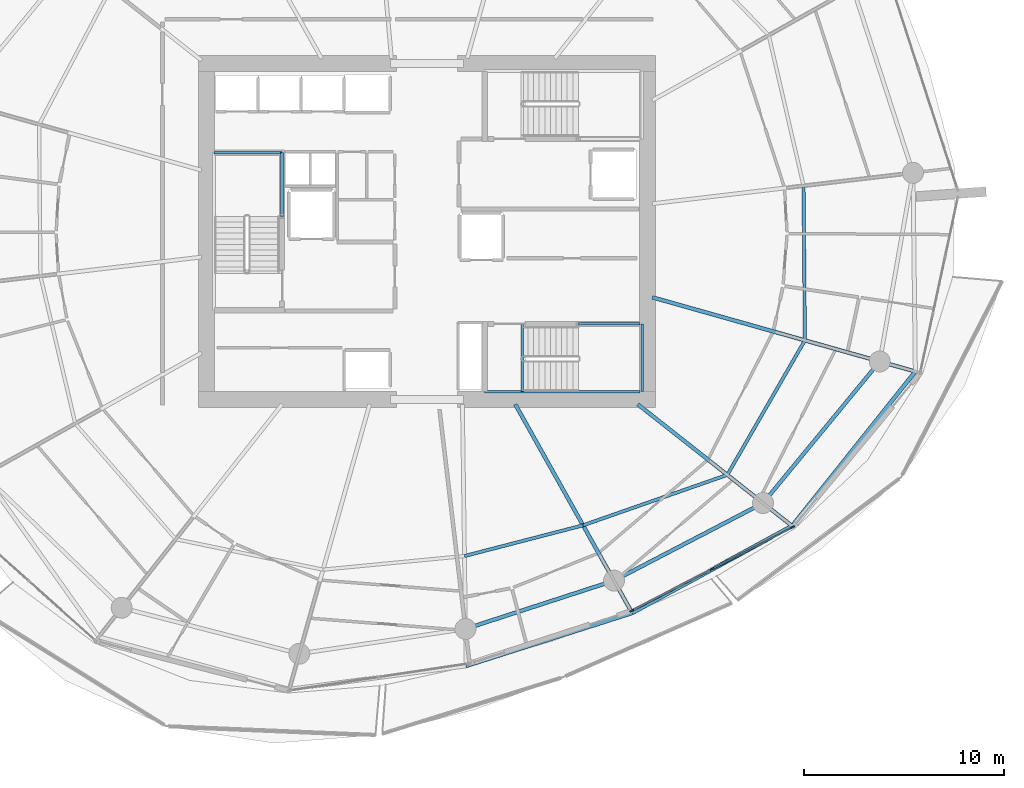
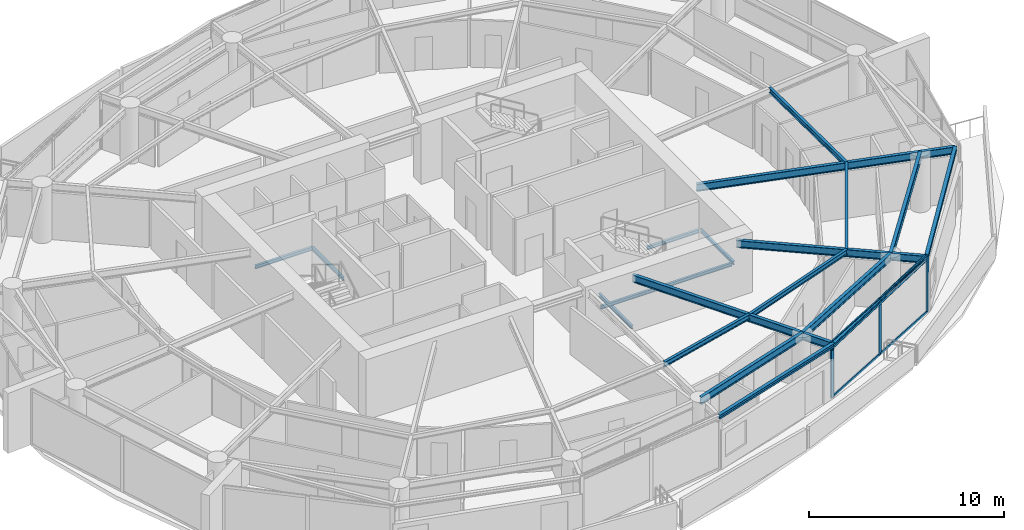
# One storey, part 6 of 20: 19 beams, 7 members, 1 element without a shape of its own.
"""IFC4 building model written with IfcOpenShell, lengths in metres."""

from ifc_helpers import new_model, si_unit, direction, frame, origin, origin_2d, place, context, subcontext, project, spatial, rectangle, i_section, extrude, material, layer, layer_set, material_profile, profile_set, type_object, element, aggregate, save


model = new_model("IFC4")

# Units and contexts
model_context = context("Model", 3, precision=1e-05, world=origin(), true_north=direction((0.0, 1.0)))
body_context = subcontext(model_context, "Body", "Model", "MODEL_VIEW")
ifc_project = project(units=[si_unit("LENGTHUNIT", "METRE"), si_unit("AREAUNIT", "SQUARE_METRE"), si_unit("VOLUMEUNIT", "CUBIC_METRE"), si_unit("PLANEANGLEUNIT", "RADIAN"), si_unit("MASSUNIT", "GRAM", prefix="KILO")], contexts=[model_context])

# Site, building, storey
site_placement = place(None, origin())
site = spatial("IfcSite", under=ifc_project, at=site_placement, CompositionType="ELEMENT")
building_placement = place(site_placement, origin())
building = spatial("IfcBuilding", under=site, at=building_placement, Name="Kazma Halo Residences", CompositionType="ELEMENT")
storey_placement = place(building_placement, frame((0.0, 0.0, 146.550048828125)))
storey = spatial("IfcBuildingStorey", under=building, at=storey_placement, Name="L36", CompositionType="ELEMENT", Elevation=146.550048828125)

# Beams
ifc_material_1 = material(Name="Steel S355", Category="steel")
ifc_material_profile_1 = material_profile(ifc_material_1, i_section(OverallWidth=0.201904296875, OverallDepth=0.2470703125, WebThickness=0.00732421875, FlangeThickness=0.010986328125, FilletRadius=0.011962890625, at=origin_2d()), Name="W250x49.1")
ifc_profile_set_1 = profile_set([ifc_material_profile_1], Name="Steel S355")
beam_type_1 = type_object("IfcBeamType", Name="BM-BAL-CANT", PredefinedType="BEAM", material=ifc_profile_set_1)
beam_1_placement = place(storey_placement, frame((50.37841796875, 20.269287109375, 3.37646484375), z_axis=(0.952724066304, 0.303836886315, 0.0), x_axis=(-0.303836886315, 0.952724066304, 0.0)))
element("IfcBeam", 1, at=beam_1_placement, inside=storey, type_object=beam_type_1, Name="L36 wave-balcony tie beam 12", PredefinedType="BEAM", context=body_context, shape_type="SweptSolid", body=[
    extrude(i_section(OverallWidth=0.201904296875, OverallDepth=0.2470703125, WebThickness=0.00732421875, FlangeThickness=0.010986328125, FilletRadius=0.011962890625, at=origin_2d()), origin(), (0.0, 0.0, 1.0), 8.719970703125),
])
beam_2_placement = place(storey_placement, frame((58.68603515625, 22.918701171875, 3.37646484375), z_axis=(0.878572913315, 0.477608245312, 0.0), x_axis=(-0.477608245312, 0.878572913315, 0.0)))
element("IfcBeam", 2, at=beam_2_placement, inside=storey, type_object=beam_type_1, Name="L36 wave-balcony tie beam 13", PredefinedType="BEAM", context=body_context, shape_type="SweptSolid", body=[
    extrude(i_section(OverallWidth=0.201904296875, OverallDepth=0.2470703125, WebThickness=0.00732421875, FlangeThickness=0.010986328125, FilletRadius=0.011962890625, at=origin_2d()), origin(), (0.0, 0.0, 1.0), 9.107177734375),
])
beam_3_placement = place(storey_placement, frame((66.687255859375, 27.268310546875, 3.37646484375), z_axis=(0.623742400336, 0.781629975131, 0.0), x_axis=(-0.781629975131, 0.623742400336, 0.0)))
element("IfcBeam", 3, at=beam_3_placement, inside=storey, type_object=beam_type_1, Name="L36 wave-balcony tie beam 14", PredefinedType="BEAM", context=body_context, shape_type="SweptSolid", body=[
    extrude(i_section(OverallWidth=0.201904296875, OverallDepth=0.2470703125, WebThickness=0.00732421875, FlangeThickness=0.010986328125, FilletRadius=0.011962890625, at=origin_2d()), origin(), (0.0, 0.0, 1.0), 9.880859375),
])
ifc_material_profile_2 = material_profile(ifc_material_1, i_section(OverallWidth=0.18994140625, OverallDepth=0.45703125, WebThickness=0.009033203125, FlangeThickness=0.014404296875, FilletRadius=0.01611328125, at=origin_2d()), Name="W460x74")
ifc_profile_set_2 = profile_set([ifc_material_profile_2], Name="Steel S355")
beam_type_2 = type_object("IfcBeamType", Name="BM-RAD-W460", PredefinedType="BEAM", material=ifc_profile_set_2)
beam_4_placement = place(storey_placement, frame((52.84423828125, 33.35009765625, 3.271484375), z_axis=(0.488617048735, -0.872498355119, 0.0), x_axis=(0.872498355119, 0.488617048735, 0.0)))
element("IfcBeam", 4, at=beam_4_placement, inside=storey, type_object=beam_type_2, Name="L36 radial floor beam 13", PredefinedType="BEAM", context=body_context, shape_type="SweptSolid", body=[
    extrude(i_section(OverallWidth=0.18994140625, OverallDepth=0.45703125, WebThickness=0.009033203125, FlangeThickness=0.014404296875, FilletRadius=0.01611328125, at=origin_2d()), origin(), (0.0, 0.0, 1.0), 11.955810546875),
])
beam_5_placement = place(storey_placement, frame((58.972412109375, 33.35009765625, 3.271484375), z_axis=(0.785322142498, -0.619087338347, 0.0), x_axis=(0.619087338347, 0.785322142498, 0.0)))
element("IfcBeam", 5, at=beam_5_placement, inside=storey, type_object=beam_type_2, Name="L36 radial floor beam 14", PredefinedType="BEAM", context=body_context, shape_type="SweptSolid", body=[
    extrude(i_section(OverallWidth=0.18994140625, OverallDepth=0.45703125, WebThickness=0.009033203125, FlangeThickness=0.014404296875, FilletRadius=0.01611328125, at=origin_2d()), origin(), (0.0, 0.0, 1.0), 9.82373046875),
])
beam_6_placement = place(storey_placement, frame((59.699951171875, 38.7001953125, 3.271484375), z_axis=(0.962456259321, -0.271436823024, 0.0), x_axis=(0.271436823024, 0.962456259321, 0.0)))
element("IfcBeam", 6, at=beam_6_placement, inside=storey, type_object=beam_type_2, Name="L36 radial floor beam 15", PredefinedType="BEAM", context=body_context, shape_type="SweptSolid", body=[
    extrude(i_section(OverallWidth=0.18994140625, OverallDepth=0.45703125, WebThickness=0.009033203125, FlangeThickness=0.014404296875, FilletRadius=0.01611328125, at=origin_2d()), origin(), (0.0, 0.0, 1.0), 13.663330078125),
])
ifc_material_profile_3 = material_profile(ifc_material_1, i_section(OverallWidth=0.1650390625, OverallDepth=0.31005859375, WebThickness=0.005859375, FlangeThickness=0.009765625, FilletRadius=0.011962890625, at=origin_2d()), Name="W310x38.7")
ifc_profile_set_3 = profile_set([ifc_material_profile_3], Name="Steel S355")
beam_type_3 = type_object("IfcBeamType", Name="BM-SEC-W310B", PredefinedType="JOIST", material=ifc_profile_set_3)
beam_7_placement = place(storey_placement, frame((50.303466796875, 25.76318359375, 3.344970703125), z_axis=(0.968017337658, 0.250883307524, 0.0), x_axis=(-0.250883307524, 0.968017337658, 0.0)))
element("IfcBeam", 7, at=beam_7_placement, inside=storey, type_object=beam_type_3, Name="L36 circumferential floor joist 12", PredefinedType="JOIST", context=body_context, shape_type="SweptSolid", body=[
    extrude(i_section(OverallWidth=0.1650390625, OverallDepth=0.31005859375, WebThickness=0.005859375, FlangeThickness=0.009765625, FilletRadius=0.011962890625, at=origin_2d()), origin(), (0.0, 0.0, 1.0), 6.124755859375),
])
beam_8_placement = place(storey_placement, frame((56.232421875, 27.2998046875, 3.344970703125), z_axis=(0.943956421223, 0.330070105935, 0.0), x_axis=(-0.330070105935, 0.943956421223, 0.0)))
element("IfcBeam", 8, at=beam_8_placement, inside=storey, type_object=beam_type_3, Name="L36 circumferential floor joist 13", PredefinedType="JOIST", context=body_context, shape_type="SweptSolid", body=[
    extrude(i_section(OverallWidth=0.1650390625, OverallDepth=0.31005859375, WebThickness=0.005859375, FlangeThickness=0.009765625, FilletRadius=0.011962890625, at=origin_2d()), origin(), (0.0, 0.0, 1.0), 7.642822265625),
])
beam_9_placement = place(storey_placement, frame((63.447021484375, 29.822509765625, 3.344970703125), z_axis=(0.499666203496, 0.866218035533, 0.0), x_axis=(-0.866218035533, 0.499666203496, 0.0)))
element("IfcBeam", 9, at=beam_9_placement, inside=storey, type_object=beam_type_3, Name="L36 circumferential floor joist 14", PredefinedType="JOIST", context=body_context, shape_type="SweptSolid", body=[
    extrude(i_section(OverallWidth=0.1650390625, OverallDepth=0.31005859375, WebThickness=0.005859375, FlangeThickness=0.009765625, FilletRadius=0.011962890625, at=origin_2d()), origin(), (0.0, 0.0, 1.0), 7.765380859375),
])
beam_10_placement = place(storey_placement, frame((67.3271484375, 36.549072265625, 3.344970703125), z_axis=(-0.008779348348, 0.999961460779, 0.0), x_axis=(-0.999961460779, -0.008779348348, 0.0)))
element("IfcBeam", 10, at=beam_10_placement, inside=storey, type_object=beam_type_3, Name="L36 circumferential floor joist 15", PredefinedType="JOIST", context=body_context, shape_type="SweptSolid", body=[
    extrude(i_section(OverallWidth=0.1650390625, OverallDepth=0.31005859375, WebThickness=0.005859375, FlangeThickness=0.009765625, FilletRadius=0.011962890625, at=origin_2d()), origin(), (0.0, 0.0, 1.0), 7.730712890625),
])
ifc_material_profile_4 = material_profile(ifc_material_1, i_section(OverallWidth=0.18994140625, OverallDepth=0.45703125, WebThickness=0.009033203125, FlangeThickness=0.014404296875, FilletRadius=0.01611328125, at=origin_2d()), Name="W460x74")
ifc_profile_set_4 = profile_set([ifc_material_profile_4], Name="Steel S355")
beam_type_4 = type_object("IfcBeamType", Name="BM-SPN-W460", PredefinedType="BEAM", material=ifc_profile_set_4)
beam_11_placement = place(storey_placement, frame((50.35302734375, 22.118896484375, 3.271484375), z_axis=(0.95105634578, 0.309017519167, 0.0), x_axis=(-0.309017519167, 0.95105634578, 0.0)))
element("IfcBeam", 11, at=beam_11_placement, inside=storey, type_object=beam_type_4, Name="L36 perimeter ring beam 12", PredefinedType="BEAM", context=body_context, shape_type="SweptSolid", body=[
    extrude(i_section(OverallWidth=0.18994140625, OverallDepth=0.45703125, WebThickness=0.009033203125, FlangeThickness=0.014404296875, FilletRadius=0.01611328125, at=origin_2d()), origin(), (0.0, 0.0, 1.0), 7.811279296875),
])
beam_12_placement = place(storey_placement, frame((57.781982421875, 24.53271484375, 3.271484375), z_axis=(0.886943099021, 0.461878706046, 0.0), x_axis=(-0.461878706046, 0.886943099021, 0.0)))
element("IfcBeam", 12, at=beam_12_placement, inside=storey, type_object=beam_type_4, Name="L36 perimeter ring beam 13", PredefinedType="BEAM", context=body_context, shape_type="SweptSolid", body=[
    extrude(i_section(OverallWidth=0.18994140625, OverallDepth=0.45703125, WebThickness=0.009033203125, FlangeThickness=0.014404296875, FilletRadius=0.01611328125, at=origin_2d()), origin(), (0.0, 0.0, 1.0), 8.40234375),
])
beam_13_placement = place(storey_placement, frame((65.234375, 28.41357421875, 3.271484375), z_axis=(0.636018723515, 0.771673624882, 0.0), x_axis=(-0.771673624882, 0.636018723515, 0.0)))
element("IfcBeam", 13, at=beam_13_placement, inside=storey, type_object=beam_type_4, Name="L36 perimeter ring beam 14", PredefinedType="BEAM", context=body_context, shape_type="SweptSolid", body=[
    extrude(i_section(OverallWidth=0.18994140625, OverallDepth=0.45703125, WebThickness=0.009033203125, FlangeThickness=0.014404296875, FilletRadius=0.01611328125, at=origin_2d()), origin(), (0.0, 0.0, 1.0), 9.175048828125),
])
ifc_material_profile_5 = material_profile(ifc_material_1, i_section(OverallWidth=0.133056640625, OverallDepth=0.20703125, WebThickness=0.005859375, FlangeThickness=0.00830078125, FilletRadius=0.010009765625, at=origin_2d()), Name="W200x26.6")
ifc_profile_set_5 = profile_set([ifc_material_profile_5], Name="Steel S355")
beam_type_5 = type_object("IfcBeamType", Name="BM-TRIM-W200", PredefinedType="BEAM", material=ifc_profile_set_5)
beam_14_placement = place(storey_placement, frame((53.199951171875, 34.0, -0.360107421875), z_axis=(0.0, 1.0, 0.0), x_axis=(-1.0, 0.0, 0.0)))
element("IfcBeam", 14, at=beam_14_placement, inside=storey, type_object=beam_type_5, Name="L36 ST-03 floor landing support beam", PredefinedType="BEAM", context=body_context, shape_type="SweptSolid", body=[
    extrude(i_section(OverallWidth=0.133056640625, OverallDepth=0.20703125, WebThickness=0.005859375, FlangeThickness=0.00830078125, FilletRadius=0.010009765625, at=origin_2d()), origin(), (0.0, 0.0, 1.0), 3.3798828125),
])
beam_15_placement = place(storey_placement, frame((41.179931640625, 42.75, 1.570068359375), z_axis=(0.0, 1.0, 0.0), x_axis=(-1.0, 0.0, 0.0)))
element("IfcBeam", 15, at=beam_15_placement, inside=storey, type_object=beam_type_5, Name="L36 ST-01 landing east wall ledger", PredefinedType="BEAM", context=body_context, shape_type="SweptSolid", body=[
    extrude(i_section(OverallWidth=0.133056640625, OverallDepth=0.20703125, WebThickness=0.005859375, FlangeThickness=0.00830078125, FilletRadius=0.010009765625, at=origin_2d()), origin(), (0.0, 0.0, 1.0), 3.18994140625),
])
beam_16_placement = place(storey_placement, frame((37.780029296875, 45.93994140625, 1.570068359375), z_axis=(1.0, 0.0, 0.0), x_axis=(0.0, 1.0, 0.0)))
element("IfcBeam", 16, at=beam_16_placement, inside=storey, type_object=beam_type_5, Name="L36 ST-01 landing end wall ledger", PredefinedType="BEAM", context=body_context, shape_type="SweptSolid", body=[
    extrude(i_section(OverallWidth=0.133056640625, OverallDepth=0.20703125, WebThickness=0.005859375, FlangeThickness=0.00830078125, FilletRadius=0.010009765625, at=origin_2d()), origin(), (0.0, 0.0, 1.0), 3.39990234375),
])
beam_17_placement = place(storey_placement, frame((51.31005859375, 33.97998046875, 1.570068359375), z_axis=(1.0, 0.0, 0.0), x_axis=(0.0, 1.0, 0.0)))
element("IfcBeam", 17, at=beam_17_placement, inside=storey, type_object=beam_type_5, Name="L36 ST-03 landing south wall ledger", PredefinedType="BEAM", context=body_context, shape_type="SweptSolid", body=[
    extrude(i_section(OverallWidth=0.133056640625, OverallDepth=0.20703125, WebThickness=0.005859375, FlangeThickness=0.00830078125, FilletRadius=0.010009765625, at=origin_2d()), origin(), (0.0, 0.0, 1.0), 7.760009765625),
])
beam_18_placement = place(storey_placement, frame((56.0, 37.3798828125, 1.570068359375), z_axis=(1.0, 0.0, 0.0), x_axis=(0.0, 1.0, 0.0)))
element("IfcBeam", 18, at=beam_18_placement, inside=storey, type_object=beam_type_5, Name="L36 ST-03 landing north wall ledger", PredefinedType="BEAM", context=body_context, shape_type="SweptSolid", body=[
    extrude(i_section(OverallWidth=0.133056640625, OverallDepth=0.20703125, WebThickness=0.005859375, FlangeThickness=0.00830078125, FilletRadius=0.010009765625, at=origin_2d()), origin(), (0.0, 0.0, 1.0), 3.070068359375),
])
beam_19_placement = place(storey_placement, frame((59.18994140625, 33.97998046875, 1.570068359375), z_axis=(0.0, 1.0, 0.0), x_axis=(-1.0, 0.0, 0.0)))
element("IfcBeam", 19, at=beam_19_placement, inside=storey, type_object=beam_type_5, Name="L36 ST-03 landing end wall ledger", PredefinedType="BEAM", context=body_context, shape_type="SweptSolid", body=[
    extrude(i_section(OverallWidth=0.133056640625, OverallDepth=0.20703125, WebThickness=0.005859375, FlangeThickness=0.00830078125, FilletRadius=0.010009765625, at=origin_2d()), origin(), (0.0, 0.0, 1.0), 3.39990234375),
])

# Curtain wall, members
ifc_material_2 = material(Name="Aluminium AW-6063 T6 and Triple-Silver Low-E Glass", Category="aluminium")
ifc_layer = layer(ifc_material_2, 0.219970703125)
ifc_layer_set = layer_set([ifc_layer], Name="Aluminium AW-6063 T6 and Triple-Silver Low-E Glass")
curtain_wall_type = type_object("IfcCurtainWallType", Name="CW-SYS-4", PredefinedType="NOTDEFINED", material=ifc_layer_set)
curtain_wall_placement = place(storey_placement, origin())
curtain_wall = element("IfcCurtainWall", 20, at=curtain_wall_placement, inside=storey, type_object=curtain_wall_type, Name="L36 unitised curtain wall B13", PredefinedType="NOTDEFINED")
ifc_material_3 = material(Name="Aluminium AW-6063 T6", Category="aluminium")
ifc_material_profile_6 = material_profile(ifc_material_3, rectangle(XDim=0.074951171875, YDim=0.219970703125, at=origin_2d()), Name="CWM-75x220")
ifc_profile_set_6 = profile_set([ifc_material_profile_6], Name="Aluminium AW-6063 T6")
member_type_1 = type_object("IfcMemberType", Name="CW-SYS-4-MUL", PredefinedType="MULLION", material=ifc_profile_set_6)
member_1_placement = place(storey_placement, frame((58.66552734375, 23.0322265625, 0.0), z_axis=(0.0, 0.0, 1.0), x_axis=(-0.460837484552, 0.887484542306, 0.0)))
member_1 = element("IfcMember", 21, at=member_1_placement, type_object=member_type_1, Name="CWS-4 mullion 1", PredefinedType="MULLION", context=body_context, shape_type="SweptSolid", body=[
    extrude(rectangle(XDim=0.074951171875, YDim=0.219970703125, at=origin_2d()), origin(), (0.0, 0.0, 1.0), 3.5),
])
member_2_placement = place(storey_placement, frame((62.686767578125, 25.120361328125, 0.0), z_axis=(0.0, 0.0, 1.0), x_axis=(-0.460837484552, 0.887484542306, 0.0)))
member_2 = element("IfcMember", 22, at=member_2_placement, type_object=member_type_1, Name="CWS-4 mullion 2", PredefinedType="MULLION", context=body_context, shape_type="SweptSolid", body=[
    extrude(rectangle(XDim=0.074951171875, YDim=0.219970703125, at=origin_2d()), origin(), (0.0, 0.0, 1.0), 3.5),
])
member_3_placement = place(storey_placement, frame((66.7080078125, 27.208251953125, 0.0), z_axis=(0.0, 0.0, 1.0), x_axis=(-0.460837484552, 0.887484542306, 0.0)))
member_3 = element("IfcMember", 23, at=member_3_placement, type_object=member_type_1, Name="CWS-4 mullion 3", PredefinedType="MULLION", context=body_context, shape_type="SweptSolid", body=[
    extrude(rectangle(XDim=0.074951171875, YDim=0.219970703125, at=origin_2d()), origin(), (0.0, 0.0, 1.0), 3.5),
])
ifc_material_profile_7 = material_profile(ifc_material_3, rectangle(XDim=0.074951171875, YDim=0.1650390625, at=origin_2d()), Name="CWT-75x165")
ifc_profile_set_7 = profile_set([ifc_material_profile_7], Name="Aluminium AW-6063 T6")
member_type_2 = type_object("IfcMemberType", Name="CW-SYS-4-TRN", PredefinedType="USERDEFINED", material=ifc_profile_set_7)
member_4_placement = place(storey_placement, frame((58.69873046875, 23.049560546875, 0.037353515625), z_axis=(0.887484872803, 0.460836848077, 0.0), x_axis=(-0.460836848077, 0.887484872803, 0.0)))
member_4 = element("IfcMember", 24, at=member_4_placement, type_object=member_type_2, Name="CWS-4 transom 1.1", ObjectType="TRANSOM", PredefinedType="USERDEFINED", context=body_context, shape_type="SweptSolid", body=[
    extrude(rectangle(XDim=0.074951171875, YDim=0.1650390625, at=origin_2d()), origin(), (0.0, 0.0, 1.0), 4.4560546875),
])
member_5_placement = place(storey_placement, frame((58.69873046875, 23.049560546875, 3.46240234375), z_axis=(0.887484872803, 0.460836848077, 0.0), x_axis=(-0.460836848077, 0.887484872803, 0.0)))
member_5 = element("IfcMember", 25, at=member_5_placement, type_object=member_type_2, Name="CWS-4 transom 1.2", ObjectType="TRANSOM", PredefinedType="USERDEFINED", context=body_context, shape_type="SweptSolid", body=[
    extrude(rectangle(XDim=0.074951171875, YDim=0.1650390625, at=origin_2d()), origin(), (0.0, 0.0, 1.0), 4.4560546875),
])
member_6_placement = place(storey_placement, frame((62.719970703125, 25.137451171875, 0.037353515625), z_axis=(0.887484872803, 0.460836848077, 0.0), x_axis=(-0.460836848077, 0.887484872803, 0.0)))
member_6 = element("IfcMember", 26, at=member_6_placement, type_object=member_type_2, Name="CWS-4 transom 2.1", ObjectType="TRANSOM", PredefinedType="USERDEFINED", context=body_context, shape_type="SweptSolid", body=[
    extrude(rectangle(XDim=0.074951171875, YDim=0.1650390625, at=origin_2d()), origin(), (0.0, 0.0, 1.0), 4.4560546875),
])
member_7_placement = place(storey_placement, frame((62.719970703125, 25.137451171875, 3.46240234375), z_axis=(0.887484872803, 0.460836848077, 0.0), x_axis=(-0.460836848077, 0.887484872803, 0.0)))
member_7 = element("IfcMember", 27, at=member_7_placement, type_object=member_type_2, Name="CWS-4 transom 2.2", ObjectType="TRANSOM", PredefinedType="USERDEFINED", context=body_context, shape_type="SweptSolid", body=[
    extrude(rectangle(XDim=0.074951171875, YDim=0.1650390625, at=origin_2d()), origin(), (0.0, 0.0, 1.0), 4.4560546875),
])
aggregate(curtain_wall, [member_1, member_2, member_3, member_4, member_5, member_6, member_7])

save(model, "model.ifc")
